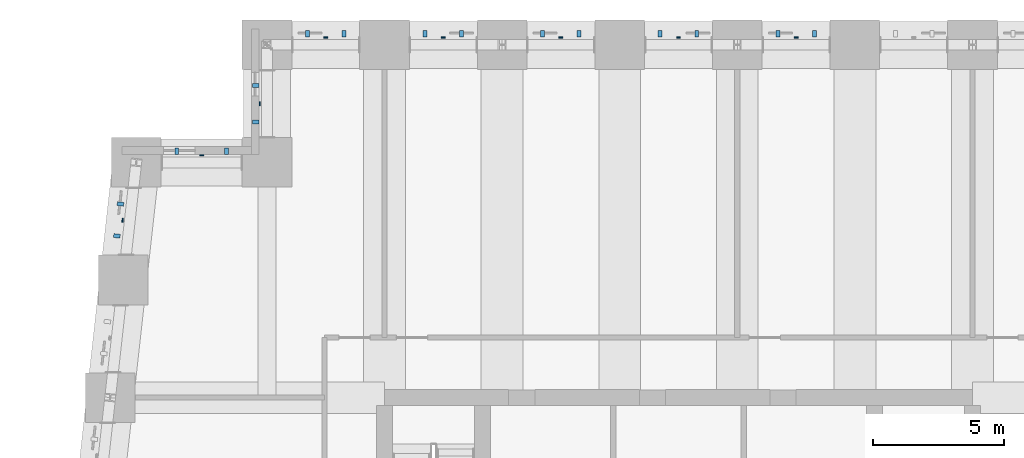
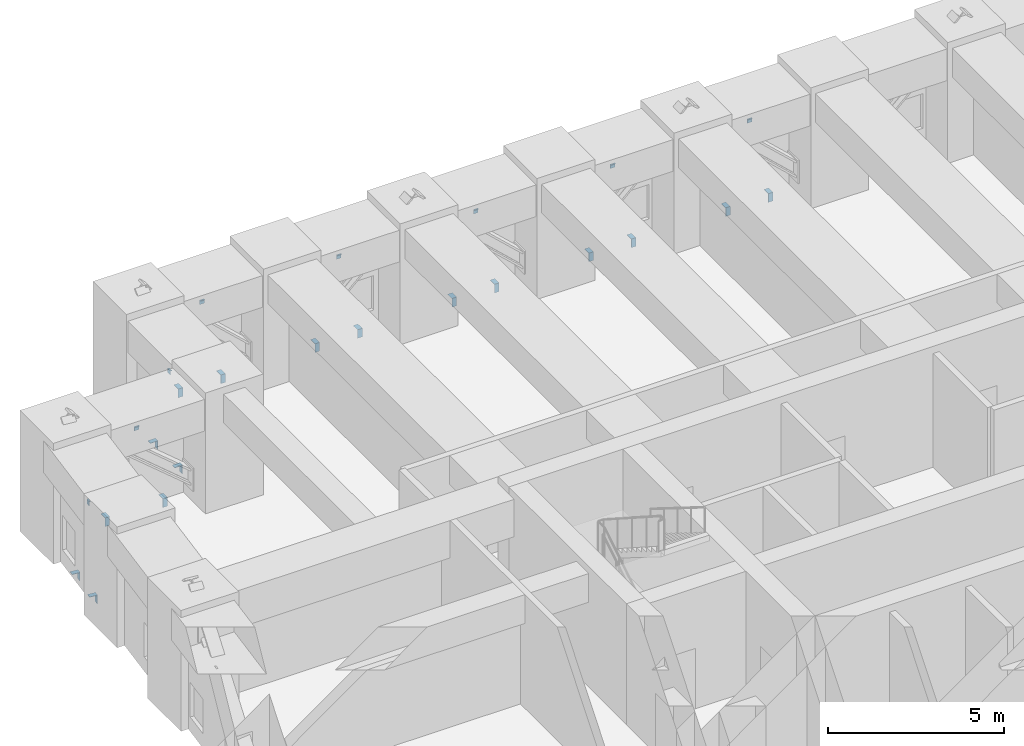
# One storey, part 14 of 16: 24 discrete accessories.
"""IFC4 building model written with IfcOpenShell, lengths in metres."""

from ifc_helpers import new_model, si_unit, direction, frame, origin, place, context, subcontext, project, spatial, polyline, outline, extrude, source, transform, mapped, material, layer, layer_set, type_object, element, save


model = new_model("IFC4")

# Units and contexts
model_context = context("Model", 3, precision=1e-05, world=origin(), true_north=direction((0.0, 1.0)))
body_context = subcontext(model_context, "Body", "Model", "MODEL_VIEW")
ifc_project = project(units=[si_unit("LENGTHUNIT", "METRE"), si_unit("AREAUNIT", "SQUARE_METRE"), si_unit("VOLUMEUNIT", "CUBIC_METRE"), si_unit("PLANEANGLEUNIT", "RADIAN"), si_unit("MASSUNIT", "GRAM", prefix="KILO")], contexts=[model_context])

# Site, building, storey
site_placement = place(None, origin())
site = spatial("IfcSite", under=ifc_project, at=site_placement, CompositionType="ELEMENT")
building_placement = place(site_placement, origin())
building = spatial("IfcBuilding", under=site, at=building_placement, Name="Kilele Tower Hotel", CompositionType="ELEMENT")
storey_placement = place(building_placement, frame((0.0, 0.0, 85.699951171875)))
storey = spatial("IfcBuildingStorey", under=building, at=storey_placement, Name="L21", CompositionType="ELEMENT", Elevation=85.699951171875)

# Discrete accessories
ifc_material_1 = material(Name="Hot-dip galvanized steel S355", Category="steel")
ifc_layer_1 = layer(ifc_material_1, 0.014892578125)
ifc_layer_set_1 = layer_set([ifc_layer_1], Name="Hot-dip galvanized steel S355")
discrete_accessory_type_1 = type_object("IfcDiscreteAccessoryType", Name="Facade panel bearing bracket 250x150x15", PredefinedType="BRACKET", material=ifc_layer_set_1)
shared_shape_1 = source(origin(), body_context, "Body", "SweptSolid", [
    extrude(outline(polyline([(0.0, 0.0), (0.25, 0.0), (0.25, -0.014892578125), (0.014892578125, -0.014892578125), (0.014892578125, -0.300048828125), (0.0, -0.300048828125), (0.0, 0.0)])), origin(), (0.0, 0.0, 1.0), 0.14990234375),
])
for number, where, z_axis, x_axis, name in (
    (1, (29.875, 40.800048828125, 0.0), (1.0, 0.0, 0.0), (0.0, 1.0, 0.0), "Facade panel bearing bracket L21"),
    (2, (28.47509765625, 40.800048828125, 0.0), (1.0, 0.0, 0.0), (0.0, 1.0, 0.0), "Facade panel bearing bracket L21"),
    (3, (25.375, 40.800048828125, 0.0), (1.0, 0.0, 0.0), (0.0, 1.0, 0.0), "Facade panel bearing bracket L21"),
    (4, (23.97509765625, 40.800048828125, 0.0), (1.0, 0.0, 0.0), (0.0, 1.0, 0.0), "Facade panel bearing bracket L21"),
    (5, (20.875, 40.800048828125, 0.0), (1.0, 0.0, 0.0), (0.0, 1.0, 0.0), "Facade panel bearing bracket L21"),
    (6, (19.47509765625, 40.800048828125, 0.0), (1.0, 0.0, 0.0), (0.0, 1.0, 0.0), "Facade panel bearing bracket L21"),
    (7, (16.375, 40.800048828125, 0.0), (1.0, 0.0, 0.0), (0.0, 1.0, 0.0), "Facade panel bearing bracket L21"),
    (8, (14.97509765625, 40.800048828125, 0.0), (1.0, 0.0, 0.0), (0.0, 1.0, 0.0), "Facade panel bearing bracket L21"),
    (9, (11.875, 40.800048828125, 0.0), (1.0, 0.0, 0.0), (0.0, 1.0, 0.0), "Facade panel bearing bracket L21"),
    (10, (10.47509765625, 40.800048828125, 0.0), (1.0, 0.0, 0.0), (0.0, 1.0, 0.0), "Facade panel bearing bracket L21"),
    (11, (8.699951171875, 38.875, 0.0), (0.0, 1.0, 0.0), (-1.0, 0.0, 0.0), "Facade panel bearing bracket L21"),
    (12, (8.699951171875, 37.47509765625, 0.0), (0.0, 1.0, 0.0), (-1.0, 0.0, 0.0), "Facade panel bearing bracket L21"),
    (13, (7.375, 36.300048828125, 0.0), (1.0, 0.0, 0.0), (0.0, 1.0, 0.0), "Facade panel bearing bracket L21"),
    (14, (5.47509765625, 36.300048828125, 0.0), (1.0, 0.0, 0.0), (0.0, 1.0, 0.0), "Facade panel bearing bracket L21"),
    (15, (3.511474609375, 34.319580078125, 0.0), (0.110432, 0.993884, 0.0), (-0.993884, 0.110432, 0.0), "Facade panel bearing bracket L21"),
    (16, (3.375732421875, 33.09765625, 0.0), (0.110432, 0.993884, 0.0), (-0.993884, 0.110432, 0.0), "Facade panel bearing bracket L21"),
):
    element("IfcDiscreteAccessory", number, at=place(storey_placement, frame(where, z_axis=z_axis, x_axis=x_axis)), inside=storey, type_object=discrete_accessory_type_1, Name=name, PredefinedType="BRACKET", context=body_context, shape_type="MappedRepresentation", body=[
        mapped(shared_shape_1, transform((0.0, 0.0, 0.0))),
    ])
ifc_material_2 = material(Name="Hot-dip galvanized steel S355", Category="steel")
ifc_layer_2 = layer(ifc_material_2, 0.011962890625)
ifc_layer_set_2 = layer_set([ifc_layer_2], Name="Hot-dip galvanized steel S355")
discrete_accessory_type_2 = type_object("IfcDiscreteAccessoryType", Name="Facade panel restraint bracket 150x50x12", PredefinedType="BRACKET", material=ifc_layer_set_2)
shared_shape_2 = source(origin(), body_context, "Body", "SweptSolid", [
    extrude(outline(polyline([(0.0, 0.0), (0.0, -0.14990234375), (-0.011962890625, -0.14990234375), (-0.011962890625, -0.011962890625), (-0.050048828125, -0.011962890625), (-0.050048828125, 0.0), (0.0, 0.0)])), origin(), (0.0, 0.0, 1.0), 0.14990234375),
])
for number, where, z_axis, x_axis, name in (
    (17, (29.175048828125, 40.800048828125, 2.85009765625), (1.0, 0.0, 0.0), (0.0, 1.0, 0.0), "Facade panel restraint bracket L21"),
    (18, (24.675048828125, 40.800048828125, 2.85009765625), (1.0, 0.0, 0.0), (0.0, 1.0, 0.0), "Facade panel restraint bracket L21"),
    (19, (20.175048828125, 40.800048828125, 2.85009765625), (1.0, 0.0, 0.0), (0.0, 1.0, 0.0), "Facade panel restraint bracket L21"),
    (20, (15.675048828125, 40.800048828125, 2.85009765625), (1.0, 0.0, 0.0), (0.0, 1.0, 0.0), "Facade panel restraint bracket L21"),
    (21, (11.175048828125, 40.800048828125, 2.85009765625), (1.0, 0.0, 0.0), (0.0, 1.0, 0.0), "Facade panel restraint bracket L21"),
    (22, (8.699951171875, 38.175048828125, 2.85009765625), (0.0, 1.0, 0.0), (-1.0, 0.0, 0.0), "Facade panel restraint bracket L21"),
    (23, (6.425048828125, 36.300048828125, 2.85009765625), (1.0, 0.0, 0.0), (0.0, 1.0, 0.0), "Facade panel restraint bracket L21"),
    (24, (3.443603515625, 33.70849609375, 2.85009765625), (0.110432, 0.993884, 0.0), (-0.993884, 0.110432, 0.0), "Facade panel restraint bracket L21"),
):
    element("IfcDiscreteAccessory", number, at=place(storey_placement, frame(where, z_axis=z_axis, x_axis=x_axis)), inside=storey, type_object=discrete_accessory_type_2, Name=name, PredefinedType="BRACKET", context=body_context, shape_type="MappedRepresentation", body=[
        mapped(shared_shape_2, transform((0.0, 0.0, 0.0))),
    ])

save(model, "model.ifc")
